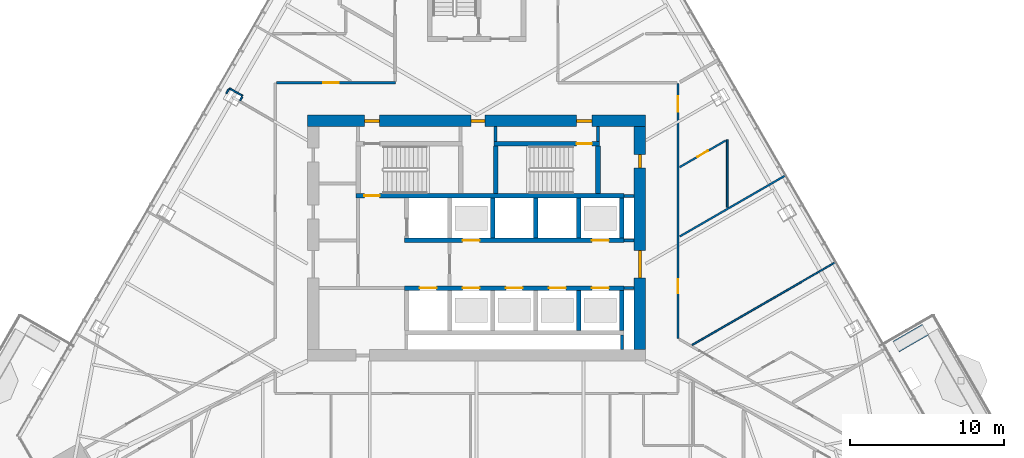
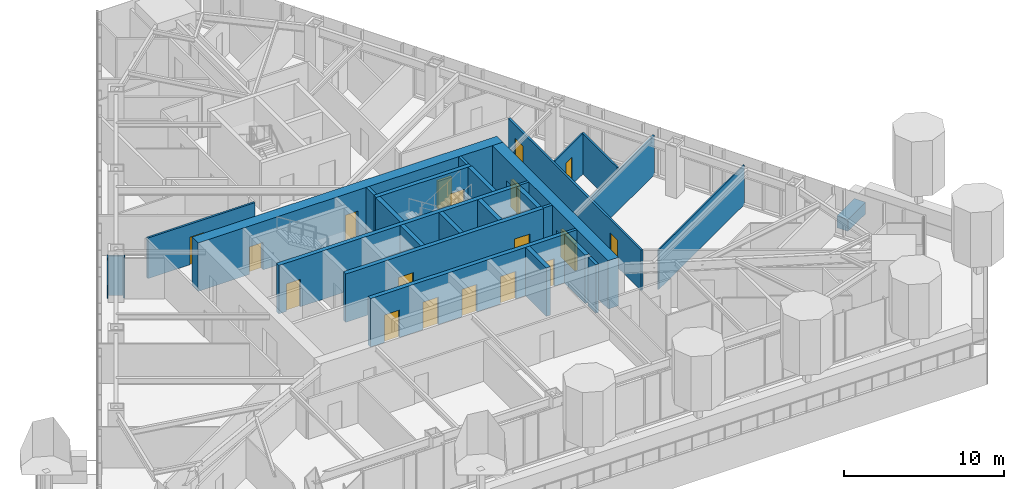
# One storey, part 18 of 24: 30 walls, 18 doors, 18 openings.
"""IFC4 building model written with IfcOpenShell, lengths in metres."""

from ifc_helpers import new_model, si_unit, direction, frame, frame_2d, origin, place, context, subcontext, project, spatial, rectangle, extrude, material, layer, layer_set, type_object, element, fill, save


model = new_model("IFC4")

# Units and contexts
model_context = context("Model", 3, precision=1e-05, world=origin(), true_north=direction((0.0, 1.0)))
body_context = subcontext(model_context, "Body", "Model", "MODEL_VIEW")
ifc_project = project(units=[si_unit("LENGTHUNIT", "METRE"), si_unit("AREAUNIT", "SQUARE_METRE"), si_unit("VOLUMEUNIT", "CUBIC_METRE"), si_unit("PLANEANGLEUNIT", "RADIAN"), si_unit("MASSUNIT", "GRAM", prefix="KILO")], contexts=[model_context])

# Site, building, storey
site_placement = place(None, origin())
site = spatial("IfcSite", under=ifc_project, at=site_placement, CompositionType="ELEMENT")
building_placement = place(site_placement, origin())
building = spatial("IfcBuilding", under=site, at=building_placement, Name="Firuza Gate Tower and Library", CompositionType="ELEMENT")
storey_placement = place(building_placement, frame((0.0, 0.0, 194.800048828125)))
storey = spatial("IfcBuildingStorey", under=building, at=storey_placement, Name="L45", CompositionType="ELEMENT", Elevation=194.800048828125)

# Walls
ifc_material_1 = material(Name="Plasterboard on steel studs", Category="steel")
ifc_layer_1 = layer(ifc_material_1, 0.199951171875)
ifc_layer_set_1 = layer_set([ifc_layer_1], Name="Core partition 200 EI 120")
wall_type_1 = type_object("IfcWallType", Name="Core partition 200 EI 120", PredefinedType="PARTITIONING", material=ifc_layer_set_1)
for number, where, z_axis, x_axis, name in (
    (1, (84.60009765625, 71.75, 0.0), (0.0, 0.0, 1.0), (1.0, 0.0, 0.0), "Core partition L45 2"),
    (2, (84.60009765625, 74.85009765625, 0.0), (0.0, 0.0, 1.0), (1.0, 0.0, 0.0), "Core partition L45 4"),
    (3, (84.60009765625, 77.75, 0.0), (0.0, 0.0, 1.0), (1.0, 0.0, 0.0), "Core partition L45 5"),
):
    element("IfcWall", number, at=place(storey_placement, frame(where, z_axis=z_axis, x_axis=x_axis)), inside=storey, type_object=wall_type_1, Name=name, PredefinedType="PARTITIONING", context=body_context, shape_type="SweptSolid", body=[
        extrude(rectangle(XDim=0.64990234375, YDim=0.199951171875, at=frame_2d((0.324951171875, 0.0))), origin(), (0.0, 0.0, 1.0), 3.699951171875),
    ])
wall_1_placement = place(storey_placement, frame((84.449951171875, 67.75, 0.0), z_axis=(0.0, 0.0, 1.0), x_axis=(0.0, 1.0, 0.0)))
element("IfcWall", 4, at=wall_1_placement, inside=storey, type_object=wall_type_1, Name="Core partition L45 14", PredefinedType="PARTITIONING", context=body_context, shape_type="SweptSolid", body=[
    extrude(rectangle(XDim=0.949951171875, YDim=0.199951171875, at=frame_2d((0.47509765625, 0.0))), origin(), (0.0, 0.0, 1.0), 3.699951171875),
])
ifc_material_2 = material(Name="Plasterboard on steel studs", Category="steel")
ifc_layer_2 = layer(ifc_material_2, 0.199951171875)
ifc_layer_set_2 = layer_set([ifc_layer_2], Name="Core partition 200 EI 60")
wall_type_2 = type_object("IfcWallType", Name="Core partition 200 EI 60", PredefinedType="PARTITIONING", material=ifc_layer_set_2)
for number, where, z_axis, x_axis, name in (
    (5, (76.239990234375, 81.280029296875, 0.0), (0.0, 0.0, 1.0), (0.0, 1.0, 0.0), "Core partition L45 12"),
    (6, (82.89990234375, 81.280029296875, 0.0), (0.0, 0.0, 1.0), (0.0, 1.0, 0.0), "Core partition L45 13"),
):
    element("IfcWall", number, at=place(storey_placement, frame(where, z_axis=z_axis, x_axis=x_axis)), inside=storey, type_object=wall_type_2, Name=name, PredefinedType="PARTITIONING", context=body_context, shape_type="SweptSolid", body=[
        extrude(rectangle(XDim=0.969970703125, YDim=0.199951171875, at=frame_2d((0.48486328125, 0.0))), origin(), (0.0, 0.0, 1.0), 3.699951171875),
    ])

# Wall, openings, doors
ifc_material_3 = material(Name="Concrete C80/95", Category="concrete")
ifc_layer_3 = layer(ifc_material_3, 0.300048828125)
ifc_layer_set_3 = layer_set([ifc_layer_3], Name="Core wall 300 C80/95")
wall_type_3 = type_object("IfcWallType", Name="Core wall 300 C80/95", PredefinedType="SHEAR", material=ifc_layer_set_3)
wall_2_placement = place(storey_placement, frame((70.300048828125, 71.75, 0.0), z_axis=(0.0, 0.0, 1.0), x_axis=(1.0, 0.0, 0.0)))
wall_2 = element("IfcWall", 7, at=wall_2_placement, inside=storey, type_object=wall_type_3, Name="Core wall L45 6", PredefinedType="SHEAR", context=body_context, shape_type="SweptSolid", body=[
    extrude(rectangle(XDim=14.300048828125, YDim=0.300048828125, at=frame_2d((7.14990234375, 0.0))), origin(), (0.0, 0.0, 1.0), 3.699951171875),
])
opening_1_placement = place(wall_2_placement, frame((1.0, 0.0, 0.0)))
opening_1 = element("IfcOpeningElement", 8, at=opening_1_placement, cuts=wall_2, Name="Opening LD-FF1-L45", PredefinedType="OPENING", context=body_context, shape_type="SweptSolid", body=[
    extrude(rectangle(XDim=1.10009765625, YDim=2.10009765625, at=frame_2d((0.550048828125, 1.050048828125))), frame((0.0, 0.16015625, 0.0), z_axis=(0.0, -1.0, 0.0), x_axis=(1.0, 0.0, 0.0)), (0.0, 0.0, 1.0), 0.320068359375),
])
opening_2_placement = place(wall_2_placement, frame((3.800048828125, 0.0, 0.0)))
opening_2 = element("IfcOpeningElement", 9, at=opening_2_placement, cuts=wall_2, Name="Opening LD-MR1-L45", PredefinedType="OPENING", context=body_context, shape_type="SweptSolid", body=[
    extrude(rectangle(XDim=1.10009765625, YDim=2.10009765625, at=frame_2d((0.550048828125, 1.050048828125))), frame((0.0, 0.16015625, 0.0), z_axis=(0.0, -1.0, 0.0), x_axis=(1.0, 0.0, 0.0)), (0.0, 0.0, 1.0), 0.320068359375),
])
opening_3_placement = place(wall_2_placement, frame((6.60009765625, 0.0, 0.0)))
opening_3 = element("IfcOpeningElement", 10, at=opening_3_placement, cuts=wall_2, Name="Opening LD-MR2-L45", PredefinedType="OPENING", context=body_context, shape_type="SweptSolid", body=[
    extrude(rectangle(XDim=1.10009765625, YDim=2.10009765625, at=frame_2d((0.550048828125, 1.050048828125))), frame((0.0, 0.16015625, 0.0), z_axis=(0.0, -1.0, 0.0), x_axis=(1.0, 0.0, 0.0)), (0.0, 0.0, 1.0), 0.320068359375),
])
opening_4_placement = place(wall_2_placement, frame((9.39990234375, 0.0, 0.0)))
opening_4 = element("IfcOpeningElement", 11, at=opening_4_placement, cuts=wall_2, Name="Opening LD-MR3-L45", PredefinedType="OPENING", context=body_context, shape_type="SweptSolid", body=[
    extrude(rectangle(XDim=1.10009765625, YDim=2.10009765625, at=frame_2d((0.550048828125, 1.050048828125))), frame((0.0, 0.16015625, 0.0), z_axis=(0.0, -1.0, 0.0), x_axis=(1.0, 0.0, 0.0)), (0.0, 0.0, 1.0), 0.320068359375),
])
opening_5_placement = place(wall_2_placement, frame((12.199951171875, 0.0, 0.0)))
opening_5 = element("IfcOpeningElement", 12, at=opening_5_placement, cuts=wall_2, Name="Opening LD-MR5-L45", PredefinedType="OPENING", context=body_context, shape_type="SweptSolid", body=[
    extrude(rectangle(XDim=1.10009765625, YDim=2.10009765625, at=frame_2d((0.550048828125, 1.050048828125))), frame((0.0, 0.16015625, 0.0), z_axis=(0.0, -1.0, 0.0), x_axis=(1.0, 0.0, 0.0)), (0.0, 0.0, 1.0), 0.320068359375),
])
ifc_material_4 = material(Name="Stainless steel", Category="steel")
door_type_1 = type_object("IfcDoorType", Name="Lift landing door 1100x2100", OperationType="DOUBLE_DOOR_SLIDING", PredefinedType="DOOR", material=ifc_material_4)
door_1_placement = place(opening_1_placement, origin())
door_1 = element("IfcDoor", 13, at=door_1_placement, inside=storey, type_object=door_type_1, Name="Landing door FF1 L45", OperationType="DOUBLE_DOOR_SLIDING", OverallHeight=2.10009765625, OverallWidth=1.10009765625, PredefinedType="DOOR", context=body_context, shape_type="SweptSolid", body=[
    extrude(rectangle(XDim=1.10009765625, YDim=2.10009765625, at=frame_2d((0.550048828125, 1.050048828125))), frame((0.0, 0.02490234375, 0.0), z_axis=(0.0, -1.0, 0.0), x_axis=(1.0, 0.0, 0.0)), (0.0, 0.0, 1.0), 0.050048828125),
])
fill(opening_1, door_1)
door_2_placement = place(opening_2_placement, origin())
door_2 = element("IfcDoor", 14, at=door_2_placement, inside=storey, type_object=door_type_1, Name="Landing door MR1 L45", OperationType="DOUBLE_DOOR_SLIDING", OverallHeight=2.10009765625, OverallWidth=1.10009765625, PredefinedType="DOOR", context=body_context, shape_type="SweptSolid", body=[
    extrude(rectangle(XDim=1.10009765625, YDim=2.10009765625, at=frame_2d((0.550048828125, 1.050048828125))), frame((0.0, 0.02490234375, 0.0), z_axis=(0.0, -1.0, 0.0), x_axis=(1.0, 0.0, 0.0)), (0.0, 0.0, 1.0), 0.050048828125),
])
fill(opening_2, door_2)
door_3_placement = place(opening_3_placement, origin())
door_3 = element("IfcDoor", 15, at=door_3_placement, inside=storey, type_object=door_type_1, Name="Landing door MR2 L45", OperationType="DOUBLE_DOOR_SLIDING", OverallHeight=2.10009765625, OverallWidth=1.10009765625, PredefinedType="DOOR", context=body_context, shape_type="SweptSolid", body=[
    extrude(rectangle(XDim=1.10009765625, YDim=2.10009765625, at=frame_2d((0.550048828125, 1.050048828125))), frame((0.0, 0.02490234375, 0.0), z_axis=(0.0, -1.0, 0.0), x_axis=(1.0, 0.0, 0.0)), (0.0, 0.0, 1.0), 0.050048828125),
])
fill(opening_3, door_3)
door_4_placement = place(opening_4_placement, origin())
door_4 = element("IfcDoor", 16, at=door_4_placement, inside=storey, type_object=door_type_1, Name="Landing door MR3 L45", OperationType="DOUBLE_DOOR_SLIDING", OverallHeight=2.10009765625, OverallWidth=1.10009765625, PredefinedType="DOOR", context=body_context, shape_type="SweptSolid", body=[
    extrude(rectangle(XDim=1.10009765625, YDim=2.10009765625, at=frame_2d((0.550048828125, 1.050048828125))), frame((0.0, 0.02490234375, 0.0), z_axis=(0.0, -1.0, 0.0), x_axis=(1.0, 0.0, 0.0)), (0.0, 0.0, 1.0), 0.050048828125),
])
fill(opening_4, door_4)
door_5_placement = place(opening_5_placement, origin())
door_5 = element("IfcDoor", 17, at=door_5_placement, inside=storey, type_object=door_type_1, Name="Landing door MR5 L45", OperationType="DOUBLE_DOOR_SLIDING", OverallHeight=2.10009765625, OverallWidth=1.10009765625, PredefinedType="DOOR", context=body_context, shape_type="SweptSolid", body=[
    extrude(rectangle(XDim=1.10009765625, YDim=2.10009765625, at=frame_2d((0.550048828125, 1.050048828125))), frame((0.0, 0.02490234375, 0.0), z_axis=(0.0, -1.0, 0.0), x_axis=(1.0, 0.0, 0.0)), (0.0, 0.0, 1.0), 0.050048828125),
])
fill(opening_5, door_5)

wall_3_placement = place(storey_placement, frame((70.300048828125, 74.85009765625, 0.0), z_axis=(0.0, 0.0, 1.0), x_axis=(1.0, 0.0, 0.0)))
wall_3 = element("IfcWall", 18, at=wall_3_placement, inside=storey, type_object=wall_type_3, Name="Core wall L45 7", PredefinedType="SHEAR", context=body_context, shape_type="SweptSolid", body=[
    extrude(rectangle(XDim=14.300048828125, YDim=0.300048828125, at=frame_2d((7.14990234375, 0.0))), origin(), (0.0, 0.0, 1.0), 3.699951171875),
])
opening_6_placement = place(wall_3_placement, frame((3.800048828125, 0.0, 0.0)))
opening_6 = element("IfcOpeningElement", 19, at=opening_6_placement, cuts=wall_3, Name="Opening LD-MR4-L45", PredefinedType="OPENING", context=body_context, shape_type="SweptSolid", body=[
    extrude(rectangle(XDim=1.10009765625, YDim=2.10009765625, at=frame_2d((0.550048828125, 1.050048828125))), frame((0.0, 0.16015625, 0.0), z_axis=(0.0, -1.0, 0.0), x_axis=(1.0, 0.0, 0.0)), (0.0, 0.0, 1.0), 0.320068359375),
])
opening_7_placement = place(wall_3_placement, frame((12.199951171875, 0.0, 0.0)))
opening_7 = element("IfcOpeningElement", 20, at=opening_7_placement, cuts=wall_3, Name="Opening LD-MR6-L45", PredefinedType="OPENING", context=body_context, shape_type="SweptSolid", body=[
    extrude(rectangle(XDim=1.10009765625, YDim=2.10009765625, at=frame_2d((0.550048828125, 1.050048828125))), frame((0.0, 0.16015625, 0.0), z_axis=(0.0, -1.0, 0.0), x_axis=(1.0, 0.0, 0.0)), (0.0, 0.0, 1.0), 0.320068359375),
])
door_6_placement = place(opening_6_placement, origin())
door_6 = element("IfcDoor", 21, at=door_6_placement, inside=storey, type_object=door_type_1, Name="Landing door MR4 L45", OperationType="DOUBLE_DOOR_SLIDING", OverallHeight=2.10009765625, OverallWidth=1.10009765625, PredefinedType="DOOR", context=body_context, shape_type="SweptSolid", body=[
    extrude(rectangle(XDim=1.10009765625, YDim=2.10009765625, at=frame_2d((0.550048828125, 1.050048828125))), frame((0.0, 0.02490234375, 0.0), z_axis=(0.0, -1.0, 0.0), x_axis=(1.0, 0.0, 0.0)), (0.0, 0.0, 1.0), 0.050048828125),
])
fill(opening_6, door_6)
door_7_placement = place(opening_7_placement, origin())
door_7 = element("IfcDoor", 22, at=door_7_placement, inside=storey, type_object=door_type_1, Name="Landing door MR6 L45", OperationType="DOUBLE_DOOR_SLIDING", OverallHeight=2.10009765625, OverallWidth=1.10009765625, PredefinedType="DOOR", context=body_context, shape_type="SweptSolid", body=[
    extrude(rectangle(XDim=1.10009765625, YDim=2.10009765625, at=frame_2d((0.550048828125, 1.050048828125))), frame((0.0, 0.02490234375, 0.0), z_axis=(0.0, -1.0, 0.0), x_axis=(1.0, 0.0, 0.0)), (0.0, 0.0, 1.0), 0.050048828125),
])
fill(opening_7, door_7)

# Walls
for number, where, z_axis, x_axis, name in (
    (23, (76.050048828125, 75.0, 0.0), (0.0, 0.0, 1.0), (0.0, 1.0, 0.0), "Core wall L45 13"),
    (24, (78.85009765625, 75.0, 0.0), (0.0, 0.0, 1.0), (0.0, 1.0, 0.0), "Core wall L45 15"),
    (25, (81.64990234375, 69.0, 0.0), (0.0, 0.0, 1.0), (0.0, 1.0, 0.0), "Core wall L45 16"),
    (26, (81.64990234375, 75.0, 0.0), (0.0, 0.0, 1.0), (0.0, 1.0, 0.0), "Core wall L45 17"),
    (27, (84.449951171875, 69.0, 0.0), (0.0, 0.0, 1.0), (0.0, 1.0, 0.0), "Core wall L45 18"),
    (28, (84.449951171875, 75.0, 0.0), (0.0, 0.0, 1.0), (0.0, 1.0, 0.0), "Core wall L45 19"),
):
    element("IfcWall", number, at=place(storey_placement, frame(where, z_axis=z_axis, x_axis=x_axis)), inside=storey, type_object=wall_type_3, Name=name, PredefinedType="SHEAR", context=body_context, shape_type="SweptSolid", body=[
        extrude(rectangle(XDim=2.60009765625, YDim=0.300048828125, at=frame_2d((1.300048828125, 0.0))), origin(), (0.0, 0.0, 1.0), 3.699951171875),
    ])

# Wall, opening, door
wall_4_placement = place(storey_placement, frame((67.14990234375, 77.75, 0.0), z_axis=(0.0, 0.0, 1.0), x_axis=(1.0, 0.0, 0.0)))
wall_4 = element("IfcWall", 29, at=wall_4_placement, inside=storey, type_object=wall_type_3, Name="Core wall L45 20", PredefinedType="SHEAR", context=body_context, shape_type="SweptSolid", body=[
    extrude(rectangle(XDim=17.4501953125, YDim=0.300048828125, at=frame_2d((8.72509765625, 0.0))), origin(), (0.0, 0.0, 1.0), 3.699951171875),
])
opening_8_placement = place(wall_4_placement, frame((0.544921875, 0.0, 0.0)))
opening_8 = element("IfcOpeningElement", 30, at=opening_8_placement, cuts=wall_4, Name="Opening L45-K10", PredefinedType="OPENING", context=body_context, shape_type="SweptSolid", body=[
    extrude(rectangle(XDim=1.0, YDim=2.10009765625, at=frame_2d((0.5, 1.050048828125))), frame((0.0, 0.16015625, 0.0), z_axis=(0.0, -1.0, 0.0), x_axis=(1.0, 0.0, 0.0)), (0.0, 0.0, 1.0), 0.320068359375),
])
ifc_material_5 = material(Name="Steel", Category="steel")
door_type_2 = type_object("IfcDoorType", Name="Fire door 1000x2100 FD90", OperationType="NOTDEFINED", PredefinedType="DOOR", material=ifc_material_5)
door_8_placement = place(opening_8_placement, origin())
door_8 = element("IfcDoor", 31, at=door_8_placement, inside=storey, type_object=door_type_2, Name="Door L45-K10", OperationType="SINGLE_SWING_LEFT", OverallHeight=2.10009765625, OverallWidth=1.0, PredefinedType="DOOR", context=body_context, shape_type="SweptSolid", body=[
    extrude(rectangle(XDim=1.0, YDim=2.10009765625, at=frame_2d((0.5, 1.050048828125))), frame((0.0, 0.02490234375, 0.0), z_axis=(0.0, -1.0, 0.0), x_axis=(1.0, 0.0, 0.0)), (0.0, 0.0, 1.0), 0.050048828125),
])
fill(opening_8, door_8)

wall_5_placement = place(storey_placement, frame((76.139892578125, 81.1298828125, 0.0), z_axis=(0.0, 0.0, 1.0), x_axis=(1.0, 0.0, 0.0)))
wall_5 = element("IfcWall", 32, at=wall_5_placement, inside=storey, type_object=wall_type_3, Name="Core wall L45 22", PredefinedType="SHEAR", context=body_context, shape_type="SweptSolid", body=[
    extrude(rectangle(XDim=6.860107421875, YDim=0.300048828125, at=frame_2d((3.43017578125, 0.0))), origin(), (0.0, 0.0, 1.0), 3.699951171875),
])
opening_9_placement = place(wall_5_placement, frame((5.364990234375, 0.0, 0.0)))
opening_9 = element("IfcOpeningElement", 33, at=opening_9_placement, cuts=wall_5, Name="Opening L45-K13", PredefinedType="OPENING", context=body_context, shape_type="SweptSolid", body=[
    extrude(rectangle(XDim=1.0, YDim=2.10009765625, at=frame_2d((0.5, 1.050048828125))), frame((0.0, 0.16015625, 0.0), z_axis=(0.0, -1.0, 0.0), x_axis=(1.0, 0.0, 0.0)), (0.0, 0.0, 1.0), 0.320068359375),
])
door_9_placement = place(opening_9_placement, origin())
door_9 = element("IfcDoor", 34, at=door_9_placement, inside=storey, type_object=door_type_2, Name="Door L45-K13", OperationType="SINGLE_SWING_RIGHT", OverallHeight=2.10009765625, OverallWidth=1.0, PredefinedType="DOOR", context=body_context, shape_type="SweptSolid", body=[
    extrude(rectangle(XDim=1.0, YDim=2.10009765625, at=frame_2d((0.5, 1.050048828125))), frame((0.0, 0.02490234375, 0.0), z_axis=(0.0, -1.0, 0.0), x_axis=(1.0, 0.0, 0.0)), (0.0, 0.0, 1.0), 0.050048828125),
])
fill(opening_9, door_9)

# Walls
for number, where, z_axis, x_axis, name in (
    (35, (76.239990234375, 77.89990234375, 0.0), (0.0, 0.0, 1.0), (0.0, 1.0, 0.0), "Core wall L45 25"),
    (36, (82.89990234375, 77.89990234375, 0.0), (0.0, 0.0, 1.0), (0.0, 1.0, 0.0), "Core wall L45 26"),
):
    element("IfcWall", number, at=place(storey_placement, frame(where, z_axis=z_axis, x_axis=x_axis)), inside=storey, type_object=wall_type_3, Name=name, PredefinedType="SHEAR", context=body_context, shape_type="SweptSolid", body=[
        extrude(rectangle(XDim=3.080078125, YDim=0.300048828125, at=frame_2d((1.5400390625, 0.0))), origin(), (0.0, 0.0, 1.0), 3.699951171875),
    ])

# Wall, openings, doors
ifc_material_6 = material(Name="Concrete C80/95", Category="concrete")
ifc_layer_4 = layer(ifc_material_6, 0.75)
ifc_layer_set_4 = layer_set([ifc_layer_4], Name="Core wall 750 C80/95")
wall_type_4 = type_object("IfcWallType", Name="Core wall 750 C80/95", PredefinedType="SHEAR", material=ifc_layer_set_4)
wall_6_placement = place(storey_placement, frame((64.0, 82.625, 0.0), z_axis=(0.0, 0.0, 1.0), x_axis=(1.0, 0.0, 0.0)))
wall_6 = element("IfcWall", 37, at=wall_6_placement, inside=storey, type_object=wall_type_4, Name="Core wall L45 2", PredefinedType="SHEAR", context=body_context, shape_type="SweptSolid", body=[
    extrude(rectangle(XDim=22.0, YDim=0.75, at=frame_2d((11.0, 0.0))), origin(), (0.0, 0.0, 1.0), 3.699951171875),
])
opening_10_placement = place(wall_6_placement, frame((3.695068359375, 0.0, 0.0)))
opening_10 = element("IfcOpeningElement", 38, at=opening_10_placement, cuts=wall_6, Name="Opening L45-K12", PredefinedType="OPENING", context=body_context, shape_type="SweptSolid", body=[
    extrude(rectangle(XDim=1.0, YDim=2.10009765625, at=frame_2d((0.5, 1.050048828125))), frame((0.0, 0.385009765625, 0.0), z_axis=(0.0, -1.0, 0.0), x_axis=(1.0, 0.0, 0.0)), (0.0, 0.0, 1.0), 0.77001953125),
])
opening_11_placement = place(wall_6_placement, frame((17.5048828125, 0.0, 0.0)))
opening_11 = element("IfcOpeningElement", 39, at=opening_11_placement, cuts=wall_6, Name="Opening L45-K14", PredefinedType="OPENING", context=body_context, shape_type="SweptSolid", body=[
    extrude(rectangle(XDim=1.0, YDim=2.10009765625, at=frame_2d((0.5, 1.050048828125))), frame((0.0, 0.385009765625, 0.0), z_axis=(0.0, -1.0, 0.0), x_axis=(1.0, 0.0, 0.0)), (0.0, 0.0, 1.0), 0.77001953125),
])
opening_12_placement = place(wall_6_placement, frame((10.64990234375, 0.0, 0.0)))
opening_12 = element("IfcOpeningElement", 40, at=opening_12_placement, cuts=wall_6, Name="Opening L45-K25", PredefinedType="OPENING", context=body_context, shape_type="SweptSolid", body=[
    extrude(rectangle(XDim=0.89990234375, YDim=2.10009765625, at=frame_2d((0.449951171875, 1.050048828125))), frame((0.0, 0.385009765625, 0.0), z_axis=(0.0, -1.0, 0.0), x_axis=(1.0, 0.0, 0.0)), (0.0, 0.0, 1.0), 0.77001953125),
])
door_10_placement = place(opening_10_placement, origin())
door_10 = element("IfcDoor", 41, at=door_10_placement, inside=storey, type_object=door_type_2, Name="Door L45-K12", OperationType="SINGLE_SWING_LEFT", OverallHeight=2.10009765625, OverallWidth=1.0, PredefinedType="DOOR", context=body_context, shape_type="SweptSolid", body=[
    extrude(rectangle(XDim=1.0, YDim=2.10009765625, at=frame_2d((0.5, 1.050048828125))), frame((0.0, 0.094970703125, 0.0), z_axis=(0.0, -1.0, 0.0), x_axis=(1.0, 0.0, 0.0)), (0.0, 0.0, 1.0), 0.18994140625),
])
fill(opening_10, door_10)
door_11_placement = place(opening_11_placement, origin())
door_11 = element("IfcDoor", 42, at=door_11_placement, inside=storey, type_object=door_type_2, Name="Door L45-K14", OperationType="SINGLE_SWING_LEFT", OverallHeight=2.10009765625, OverallWidth=1.0, PredefinedType="DOOR", context=body_context, shape_type="SweptSolid", body=[
    extrude(rectangle(XDim=1.0, YDim=2.10009765625, at=frame_2d((0.5, 1.050048828125))), frame((0.0, 0.094970703125, 0.0), z_axis=(0.0, -1.0, 0.0), x_axis=(1.0, 0.0, 0.0)), (0.0, 0.0, 1.0), 0.18994140625),
])
fill(opening_11, door_11)
ifc_material_7 = material(Name="Steel", Category="steel")
door_type_3 = type_object("IfcDoorType", Name="Fire door 900x2100 FD30S", OperationType="NOTDEFINED", PredefinedType="DOOR", material=ifc_material_7)
door_12_placement = place(opening_12_placement, origin())
door_12 = element("IfcDoor", 43, at=door_12_placement, inside=storey, type_object=door_type_3, Name="Door L45-K25", OperationType="SINGLE_SWING_RIGHT", OverallHeight=2.10009765625, OverallWidth=0.89990234375, PredefinedType="DOOR", context=body_context, shape_type="SweptSolid", body=[
    extrude(rectangle(XDim=0.89990234375, YDim=2.10009765625, at=frame_2d((0.449951171875, 1.050048828125))), frame((0.0, 0.094970703125, 0.0), z_axis=(0.0, -1.0, 0.0), x_axis=(1.0, 0.0, 0.0)), (0.0, 0.0, 1.0), 0.18994140625),
])
fill(opening_12, door_12)

wall_7_placement = place(storey_placement, frame((85.625, 67.75, 0.0), z_axis=(0.0, 0.0, 1.0), x_axis=(0.0, 1.0, 0.0)))
wall_7 = element("IfcWall", 44, at=wall_7_placement, inside=storey, type_object=wall_type_4, Name="Core wall L45 4", PredefinedType="SHEAR", context=body_context, shape_type="SweptSolid", body=[
    extrude(rectangle(XDim=14.5, YDim=0.75, at=frame_2d((7.25, 0.0))), origin(), (0.0, 0.0, 1.0), 3.699951171875),
])
opening_13_placement = place(wall_7_placement, frame((4.64990234375, 0.0, 0.0)))
opening_13 = element("IfcOpeningElement", 45, at=opening_13_placement, cuts=wall_7, Name="Opening L45-K21", PredefinedType="OPENING", context=body_context, shape_type="SweptSolid", body=[
    extrude(rectangle(XDim=1.800048828125, YDim=2.10009765625, at=frame_2d((0.89990234375, 1.050048828125))), frame((0.0, 0.385009765625, 0.0), z_axis=(0.0, -1.0, 0.0), x_axis=(1.0, 0.0, 0.0)), (0.0, 0.0, 1.0), 0.77001953125),
])
opening_14_placement = place(wall_7_placement, frame((11.800048828125, 0.0, 0.0)))
opening_14 = element("IfcOpeningElement", 46, at=opening_14_placement, cuts=wall_7, Name="Opening L45-K26", PredefinedType="OPENING", context=body_context, shape_type="SweptSolid", body=[
    extrude(rectangle(XDim=0.89990234375, YDim=2.10009765625, at=frame_2d((0.449951171875, 1.050048828125))), frame((0.0, 0.385009765625, 0.0), z_axis=(0.0, -1.0, 0.0), x_axis=(1.0, 0.0, 0.0)), (0.0, 0.0, 1.0), 0.77001953125),
])
ifc_material_8 = material(Name="Steel", Category="steel")
door_type_4 = type_object("IfcDoorType", Name="Fire door 1800x2100 FD30S", OperationType="NOTDEFINED", PredefinedType="DOOR", material=ifc_material_8)
door_13_placement = place(opening_13_placement, origin())
door_13 = element("IfcDoor", 47, at=door_13_placement, inside=storey, type_object=door_type_4, Name="Door L45-K21", OperationType="SINGLE_SWING_RIGHT", OverallHeight=2.10009765625, OverallWidth=1.800048828125, PredefinedType="DOOR", context=body_context, shape_type="SweptSolid", body=[
    extrude(rectangle(XDim=1.800048828125, YDim=2.10009765625, at=frame_2d((0.89990234375, 1.050048828125))), frame((0.0, 0.094970703125, 0.0), z_axis=(0.0, -1.0, 0.0), x_axis=(1.0, 0.0, 0.0)), (0.0, 0.0, 1.0), 0.18994140625),
])
fill(opening_13, door_13)
door_14_placement = place(opening_14_placement, origin())
door_14 = element("IfcDoor", 48, at=door_14_placement, inside=storey, type_object=door_type_3, Name="Door L45-K26", OperationType="SINGLE_SWING_LEFT", OverallHeight=2.10009765625, OverallWidth=0.89990234375, PredefinedType="DOOR", context=body_context, shape_type="SweptSolid", body=[
    extrude(rectangle(XDim=0.89990234375, YDim=2.10009765625, at=frame_2d((0.449951171875, 1.050048828125))), frame((0.0, 0.094970703125, 0.0), z_axis=(0.0, -1.0, 0.0), x_axis=(1.0, 0.0, 0.0)), (0.0, 0.0, 1.0), 0.18994140625),
])
fill(opening_14, door_14)

# Wall, opening, door
ifc_material_9 = material(Name="Gypsum board partition")
ifc_layer_5 = layer(ifc_material_9, 0.14990234375)
ifc_layer_set_5 = layer_set([ifc_layer_5], Name="Corridor wall 150 double board on steel studs")
wall_type_5 = type_object("IfcWallType", Name="Corridor wall 150 double board on steel studs", PredefinedType="PARTITIONING", material=ifc_layer_set_5)
wall_8_placement = place(storey_placement, frame((61.9755859375, 85.10009765625, 0.0), z_axis=(0.0, 0.0, 1.0), x_axis=(1.0, 0.0, 0.0)))
wall_8 = element("IfcWall", 49, at=wall_8_placement, inside=storey, type_object=wall_type_5, Name="f:L45:w005", PredefinedType="PARTITIONING", context=body_context, shape_type="SweptSolid", body=[
    extrude(rectangle(XDim=7.743896484375, YDim=0.14990234375, at=frame_2d((3.8720703125, 0.0))), origin(), (0.0, 0.0, 1.0), 3.099853515625),
])
opening_15_placement = place(wall_8_placement, frame((3.054931640625, 0.0, 0.0)))
opening_15 = element("IfcOpeningElement", 50, at=opening_15_placement, cuts=wall_8, Name="Opening L45-06", PredefinedType="OPENING", context=body_context, shape_type="SweptSolid", body=[
    extrude(rectangle(XDim=1.0, YDim=2.10009765625, at=frame_2d((0.5, 1.050048828125))), frame((0.0, 0.0849609375, 0.0), z_axis=(0.0, -1.0, 0.0), x_axis=(1.0, 0.0, 0.0)), (0.0, 0.0, 1.0), 0.169921875),
])
ifc_material_10 = material(Name="Steel door and timber leaf", Category="steel")
door_type_5 = type_object("IfcDoorType", Name="Fire door 1000 x 2100 steel frame, timber leaf", OperationType="NOTDEFINED", PredefinedType="DOOR", material=ifc_material_10)
door_15_placement = place(opening_15_placement, origin())
door_15 = element("IfcDoor", 51, at=door_15_placement, inside=storey, type_object=door_type_5, Name="f:L45:d006", OperationType="SINGLE_SWING_LEFT", OverallHeight=2.10009765625, OverallWidth=1.0, PredefinedType="DOOR", context=body_context, shape_type="SweptSolid", body=[
    extrude(rectangle(XDim=1.0, YDim=2.10009765625, at=frame_2d((0.5, 1.050048828125))), frame((0.0, 0.02490234375, 0.0), z_axis=(0.0, -1.0, 0.0), x_axis=(1.0, 0.0, 0.0)), (0.0, 0.0, 1.0), 0.050048828125),
])
fill(opening_15, door_15)

# Wall, openings, doors
wall_9_placement = place(storey_placement, frame((88.10009765625, 85.070556640625, 0.0), z_axis=(0.0, 0.0, 1.0), x_axis=(0.0, -1.0, 0.0)))
wall_9 = element("IfcWall", 52, at=wall_9_placement, inside=storey, type_object=wall_type_5, Name="f:L45:w037", PredefinedType="PARTITIONING", context=body_context, shape_type="SweptSolid", body=[
    extrude(rectangle(XDim=16.594482421875, YDim=0.14990234375, at=frame_2d((8.29736328125, 0.0))), origin(), (0.0, 0.0, 1.0), 3.099853515625),
])
opening_16_placement = place(wall_9_placement, frame((0.847900390625, 0.0, 0.0)))
opening_16 = element("IfcOpeningElement", 53, at=opening_16_placement, cuts=wall_9, Name="Opening L45-21", PredefinedType="OPENING", context=body_context, shape_type="SweptSolid", body=[
    extrude(rectangle(XDim=1.0, YDim=2.10009765625, at=frame_2d((0.5, 1.050048828125))), frame((0.0, 0.0849609375, 0.0), z_axis=(0.0, -1.0, 0.0), x_axis=(1.0, 0.0, 0.0)), (0.0, 0.0, 1.0), 0.169921875),
])
opening_17_placement = place(wall_9_placement, frame((12.76025390625, 0.0, 0.0)))
opening_17 = element("IfcOpeningElement", 54, at=opening_17_placement, cuts=wall_9, Name="Opening L45-22", PredefinedType="OPENING", context=body_context, shape_type="SweptSolid", body=[
    extrude(rectangle(XDim=0.89990234375, YDim=2.10009765625, at=frame_2d((0.449951171875, 1.050048828125))), frame((0.0, 0.0849609375, 0.0), z_axis=(0.0, -1.0, 0.0), x_axis=(1.0, 0.0, 0.0)), (0.0, 0.0, 1.0), 0.169921875),
])
door_16_placement = place(opening_16_placement, origin())
door_16 = element("IfcDoor", 55, at=door_16_placement, inside=storey, type_object=door_type_5, Name="f:L45:d021", OperationType="SINGLE_SWING_RIGHT", OverallHeight=2.10009765625, OverallWidth=1.0, PredefinedType="DOOR", context=body_context, shape_type="SweptSolid", body=[
    extrude(rectangle(XDim=1.0, YDim=2.10009765625, at=frame_2d((0.5, 1.050048828125))), frame((0.0, 0.02490234375, 0.0), z_axis=(0.0, -1.0, 0.0), x_axis=(1.0, 0.0, 0.0)), (0.0, 0.0, 1.0), 0.050048828125),
])
fill(opening_16, door_16)
ifc_material_11 = material(Name="Steel door and timber leaf", Category="steel")
door_type_6 = type_object("IfcDoorType", Name="Fire door 900 x 2100 steel frame, timber leaf", OperationType="NOTDEFINED", PredefinedType="DOOR", material=ifc_material_11)
door_17_placement = place(opening_17_placement, origin())
door_17 = element("IfcDoor", 56, at=door_17_placement, inside=storey, type_object=door_type_6, Name="f:L45:d022", OperationType="SINGLE_SWING_LEFT", OverallHeight=2.10009765625, OverallWidth=0.89990234375, PredefinedType="DOOR", context=body_context, shape_type="SweptSolid", body=[
    extrude(rectangle(XDim=0.89990234375, YDim=2.10009765625, at=frame_2d((0.449951171875, 1.050048828125))), frame((0.0, 0.02490234375, 0.0), z_axis=(0.0, -1.0, 0.0), x_axis=(1.0, 0.0, 0.0)), (0.0, 0.0, 1.0), 0.050048828125),
])
fill(opening_17, door_17)

# Walls
ifc_material_12 = material(Name="Gypsum board partition")
ifc_layer_6 = layer(ifc_material_12, 0.10009765625)
ifc_layer_set_6 = layer_set([ifc_layer_6], Name="Partition 100 gypsum board on steel studs")
wall_type_6 = type_object("IfcWallType", Name="Partition 100 gypsum board on steel studs", PredefinedType="PARTITIONING", material=ifc_layer_set_6)
wall_10_placement = place(storey_placement, frame((89.02978515625, 68.0556640625, 0.0), z_axis=(0.0, 0.0, 1.0), x_axis=(0.866027863881, 0.499995738963, 0.0)))
element("IfcWall", 57, at=wall_10_placement, inside=storey, type_object=wall_type_6, Name="f:L45:w016", PredefinedType="PARTITIONING", context=body_context, shape_type="SweptSolid", body=[
    extrude(rectangle(XDim=10.72314453125, YDim=0.10009765625, at=frame_2d((5.361572265625, 0.0))), origin(), (0.0, 0.0, 1.0), 3.02197265625),
])
wall_11_placement = place(storey_placement, frame((59.609130859375, 83.944091796875, 0.0), z_axis=(0.0, 0.0, 1.0), x_axis=(0.500264001326, 0.865872928886, 0.0)))
element("IfcWall", 58, at=wall_11_placement, inside=storey, type_object=wall_type_6, Name="f:L45:w029", PredefinedType="PARTITIONING", context=body_context, shape_type="SweptSolid", body=[
    extrude(rectangle(XDim=0.299072265625, YDim=0.10009765625, at=frame_2d((0.1494140625, 0.0))), origin(), (0.0, 0.0, 1.0), 3.099853515625),
])
wall_12_placement = place(storey_placement, frame((58.71826171875, 84.40087890625, 0.0), z_axis=(0.0, 0.0, 1.0), x_axis=(0.499601298118, 0.866255472086, 0.0)))
element("IfcWall", 59, at=wall_12_placement, inside=storey, type_object=wall_type_6, Name="f:L45:w030", PredefinedType="PARTITIONING", context=body_context, shape_type="SweptSolid", body=[
    extrude(rectangle(XDim=0.348876953125, YDim=0.10009765625, at=frame_2d((0.17431640625, 0.0))), origin(), (0.0, 0.0, 1.0), 3.099853515625),
])
wall_13_placement = place(storey_placement, frame((59.783447265625, 84.247314453125, 0.0), z_axis=(0.0, 0.0, 1.0), x_axis=(-0.866039090965, 0.499976292358, 0.0)))
element("IfcWall", 60, at=wall_13_placement, inside=storey, type_object=wall_type_6, Name="f:L45:w072", PredefinedType="PARTITIONING", context=body_context, shape_type="SweptSolid", body=[
    extrude(rectangle(XDim=0.9990234375, YDim=0.10009765625, at=frame_2d((0.49951171875, 0.0))), origin(), (0.0, 0.0, 1.0), 3.02197265625),
])
ifc_material_13 = material(Name="Concrete C40/50", Category="concrete")
ifc_layer_7 = layer(ifc_material_13, 0.800048828125)
ifc_layer_set_7 = layer_set([ifc_layer_7], Name="Planter wall 800")
wall_type_7 = type_object("IfcWallType", Name="Planter wall 800", PredefinedType="SOLIDWALL", material=ifc_layer_set_7)
wall_14_placement = place(storey_placement, frame((104.18896484375, 69.045654296875, 0.0), z_axis=(0.0, 0.0, 1.0), x_axis=(-0.866008176907, -0.50002983664, 0.0)))
element("IfcWall", 61, at=wall_14_placement, inside=storey, type_object=wall_type_7, Name="PLANTER L45 7", PredefinedType="SOLIDWALL", context=body_context, shape_type="SweptSolid", body=[
    extrude(rectangle(XDim=2.199951171875, YDim=0.800048828125, at=frame_2d((1.10009765625, 0.0))), origin(), (0.0, 0.0, 1.0), 0.89990234375),
])
ifc_material_14 = material(Name="Gypsum board partition")
ifc_layer_8 = layer(ifc_material_14, 0.1201171875)
ifc_layer_set_8 = layer_set([ifc_layer_8], Name="Wet-area partition 120 moisture-resistant board")
wall_type_8 = type_object("IfcWallType", Name="Wet-area partition 120 moisture-resistant board", PredefinedType="PARTITIONING", material=ifc_layer_set_8)
wall_15_placement = place(storey_placement, frame((88.20947265625, 75.104736328125, 0.0), z_axis=(0.0, 0.0, 1.0), x_axis=(0.866019546548, 0.500010144894, 0.0)))
element("IfcWall", 62, at=wall_15_placement, inside=storey, type_object=wall_type_8, Name="f:L45:w017", PredefinedType="PARTITIONING", context=body_context, shape_type="SweptSolid", body=[
    extrude(rectangle(XDim=7.908935546875, YDim=0.1201171875, at=frame_2d((3.95458984375, 0.0))), origin(), (0.0, 0.0, 1.0), 3.02197265625),
])

# Wall, opening, door
wall_16_placement = place(storey_placement, frame((91.205322265625, 81.34716796875, 0.0), z_axis=(0.0, 0.0, 1.0), x_axis=(-0.866028087245, -0.499995352082, 0.0)))
wall_16 = element("IfcWall", 63, at=wall_16_placement, inside=storey, type_object=wall_type_8, Name="f:L45:w018", PredefinedType="PARTITIONING", context=body_context, shape_type="SweptSolid", body=[
    extrude(rectangle(XDim=3.458984375, YDim=0.1201171875, at=frame_2d((1.7294921875, 0.0))), origin(), (0.0, 0.0, 1.0), 3.099853515625),
])
opening_18_placement = place(wall_16_placement, frame((1.32958984375, 0.0, 0.0)))
opening_18 = element("IfcOpeningElement", 64, at=opening_18_placement, cuts=wall_16, Name="Opening L45-14", PredefinedType="OPENING", context=body_context, shape_type="SweptSolid", body=[
    extrude(rectangle(XDim=0.800048828125, YDim=2.10009765625, at=frame_2d((0.39990234375, 1.050048828125))), frame((0.0, 0.070068359375, 0.0), z_axis=(0.0, -1.0, 0.0), x_axis=(1.0, 0.0, 0.0)), (0.0, 0.0, 1.0), 0.14013671875),
])
ifc_material_15 = material(Name="Timber door", Category="wood")
door_type_7 = type_object("IfcDoorType", Name="Door 800 x 2100 timber leaf", OperationType="NOTDEFINED", PredefinedType="DOOR", material=ifc_material_15)
door_18_placement = place(opening_18_placement, origin())
door_18 = element("IfcDoor", 65, at=door_18_placement, inside=storey, type_object=door_type_7, Name="f:L45:d014", OperationType="SINGLE_SWING_LEFT", OverallHeight=2.10009765625, OverallWidth=0.800048828125, PredefinedType="DOOR", context=body_context, shape_type="SweptSolid", body=[
    extrude(rectangle(XDim=0.800048828125, YDim=2.10009765625, at=frame_2d((0.39990234375, 1.050048828125))), frame((0.0, 0.02490234375, 0.0), z_axis=(0.0, -1.0, 0.0), x_axis=(1.0, 0.0, 0.0)), (0.0, 0.0, 1.0), 0.050048828125),
])
fill(opening_18, door_18)

# Wall
wall_17_placement = place(storey_placement, frame((91.300048828125, 76.998046875, 0.0), z_axis=(0.0, 0.0, 1.0), x_axis=(0.0, 1.0, 0.0)))
element("IfcWall", 66, at=wall_17_placement, inside=storey, type_object=wall_type_8, Name="f:L45:w034", PredefinedType="PARTITIONING", context=body_context, shape_type="SweptSolid", body=[
    extrude(rectangle(XDim=4.40380859375, YDim=0.1201171875, at=frame_2d((2.201904296875, 0.0))), origin(), (0.0, 0.0, 1.0), 3.099853515625),
])

save(model, "model.ifc")
